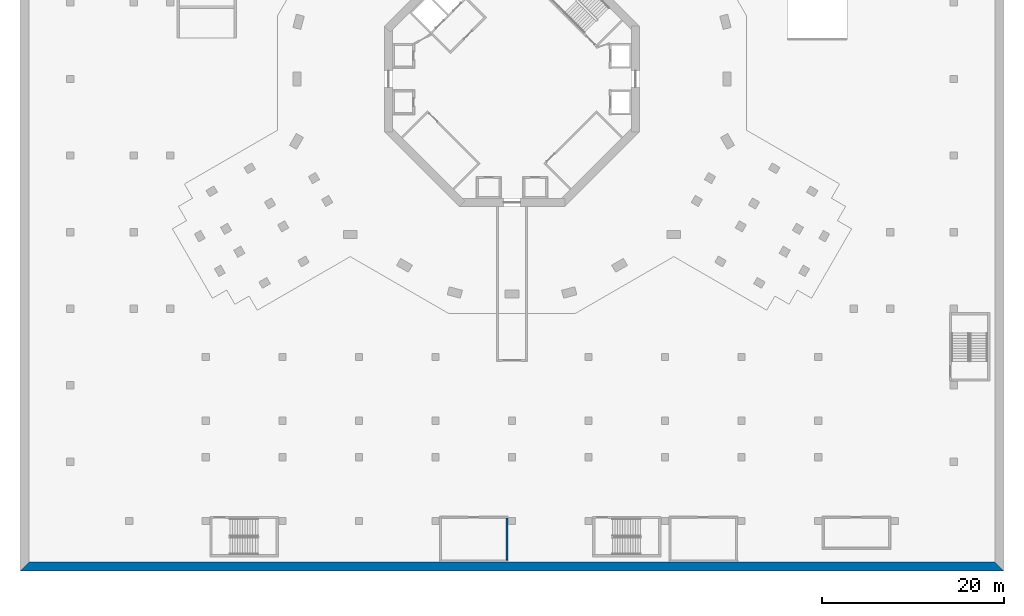
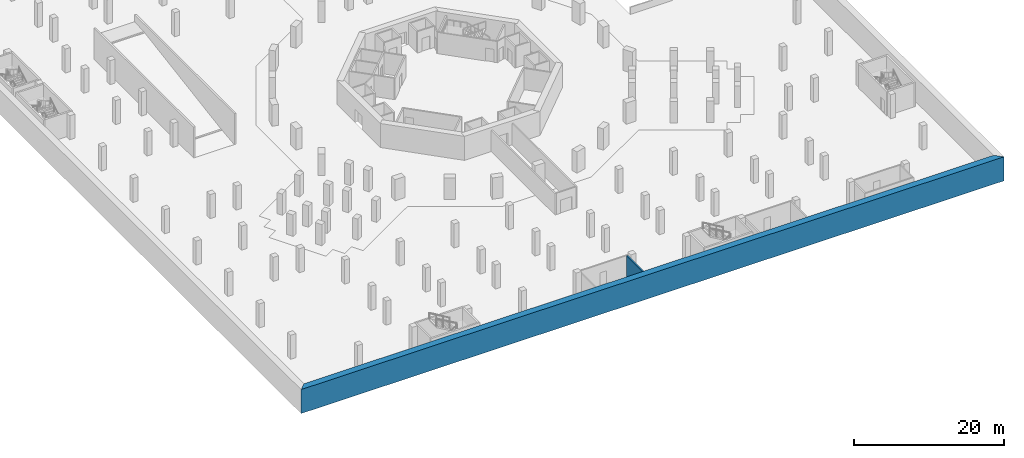
# One storey, part 4 of 25: 2 walls.
"""IFC4 building model written with IfcOpenShell, lengths in metres."""

from ifc_helpers import new_model, si_unit, direction, frame, frame_2d, origin, place, context, subcontext, project, spatial, polyline, rectangle, outline, extrude, material, layer, layer_set, type_object, element, save


model = new_model("IFC4")

# Units and contexts
model_context = context("Model", 3, precision=1e-05, world=origin(), true_north=direction((0.0, 1.0)))
body_context = subcontext(model_context, "Body", "Model", "MODEL_VIEW")
ifc_project = project(units=[si_unit("LENGTHUNIT", "METRE"), si_unit("AREAUNIT", "SQUARE_METRE"), si_unit("VOLUMEUNIT", "CUBIC_METRE"), si_unit("PLANEANGLEUNIT", "RADIAN"), si_unit("MASSUNIT", "GRAM", prefix="KILO")], contexts=[model_context])

# Site, building, storey
site_placement = place(None, origin())
site = spatial("IfcSite", under=ifc_project, at=site_placement, CompositionType="ELEMENT")
building_placement = place(site_placement, origin())
building = spatial("IfcBuilding", under=site, at=building_placement, Name="Verdalira Terraces Hotel", CompositionType="ELEMENT")
storey_placement = place(building_placement, frame((0.0, 0.0, -7.800049)))
storey = spatial("IfcBuildingStorey", under=building, at=storey_placement, Name="B2", CompositionType="ELEMENT", Elevation=-7.800048828125)

# Walls
ifc_material_1 = material(Name="Concrete C40", Category="concrete")
ifc_layer_1 = layer(ifc_material_1, 1.0)
ifc_layer_set_1 = layer_set([ifc_layer_1], Name="Retaining wall 1000 C40")
wall_type_1 = type_object("IfcWallType", Name="Retaining wall 1000 C40", PredefinedType="SOLIDWALL", material=ifc_layer_set_1)
wall_1_placement = place(storey_placement, origin())
element("IfcWall", 1, at=wall_1_placement, inside=storey, type_object=wall_type_1, Name="Retaining wall B2 side 3", PredefinedType="SOLIDWALL", context=body_context, shape_type="SweptSolid", body=[
    extrude(outline(polyline([(-54.0, -54.0), (54.0, -54.0), (53.0, -53.0), (-53.0, -53.0), (-54.0, -54.0)])), origin(), (0.0, 0.0, 1.0), 3.900146),
])
ifc_material_2 = material(Name="Concrete C40", Category="concrete")
ifc_layer_2 = layer(ifc_material_2, 0.199951171875)
ifc_layer_set_2 = layer_set([ifc_layer_2], Name="Service room wall 200 C40")
wall_type_2 = type_object("IfcWallType", Name="Service room wall 200 C40", PredefinedType="PARTITIONING", material=ifc_layer_set_2)
wall_2_placement = place(storey_placement, frame((-0.550049, -52.800049, 0.0), z_axis=(0.0, 0.0, 1.0), x_axis=(0.0, 1.0, 0.0)))
element("IfcWall", 2, at=wall_2_placement, inside=storey, type_object=wall_type_2, Name="Smoke extract fan room wall", PredefinedType="PARTITIONING", context=body_context, shape_type="SweptSolid", body=[
    extrude(rectangle(XDim=4.600098, YDim=0.199951, at=frame_2d((2.300049, 0.0))), origin(), (0.0, 0.0, 1.0), 3.449951),
])

save(model, "model.ifc")
